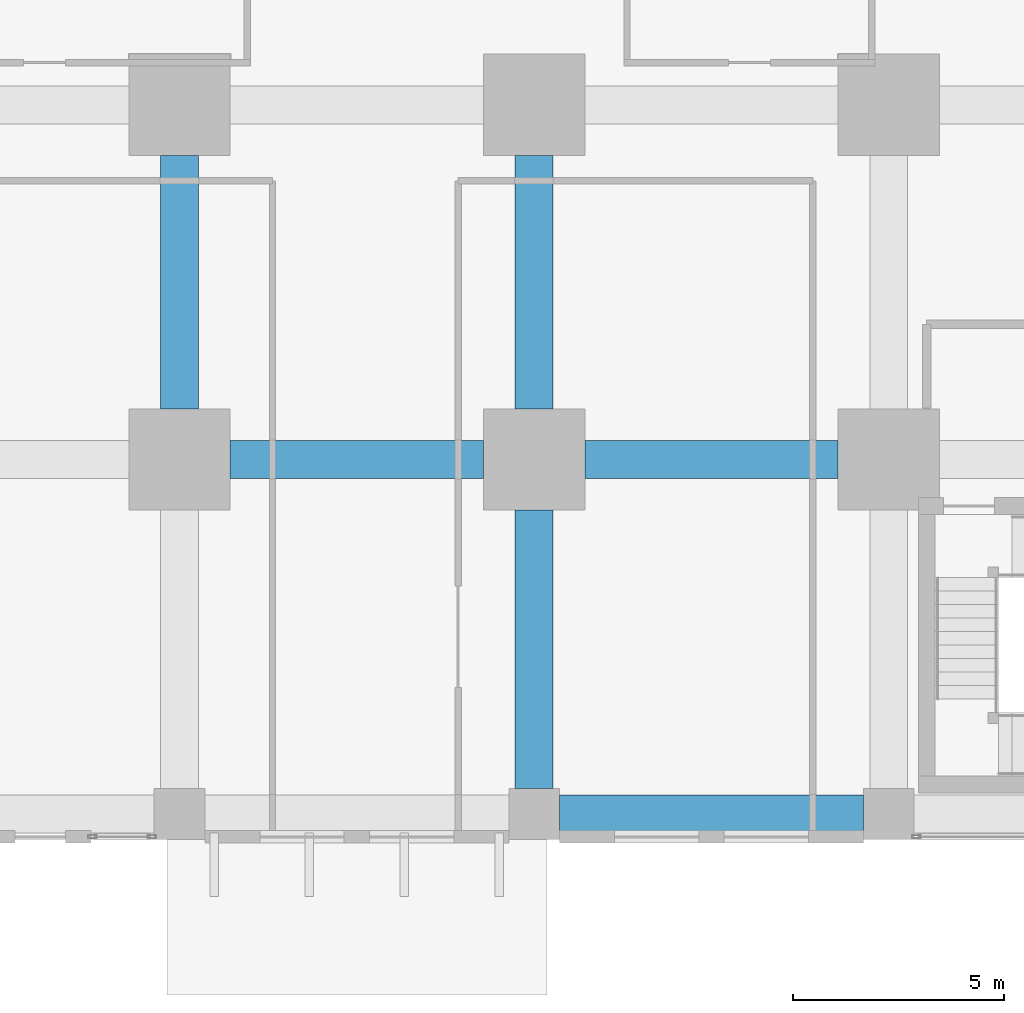
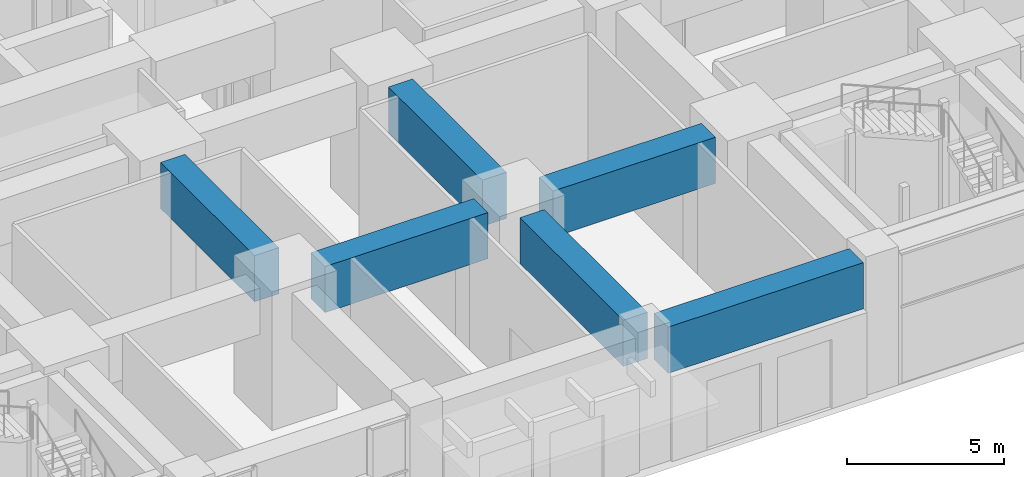
# One storey, part 14 of 81: 6 beams.
"""IFC4 building model written with IfcOpenShell, lengths in metres."""

from ifc_helpers import new_model, si_unit, direction, frame, origin, origin_2d, place, context, subcontext, project, spatial, rectangle, extrude, material, material_profile, profile_set, type_object, element, save


model = new_model("IFC4")

# Units and contexts
model_context = context("Model", 3, precision=1e-05, world=origin(), true_north=direction((0.0, 1.0)))
body_context = subcontext(model_context, "Body", "Model", "MODEL_VIEW")
ifc_project = project(units=[si_unit("LENGTHUNIT", "METRE"), si_unit("AREAUNIT", "SQUARE_METRE"), si_unit("VOLUMEUNIT", "CUBIC_METRE"), si_unit("PLANEANGLEUNIT", "RADIAN"), si_unit("MASSUNIT", "GRAM", prefix="KILO")], contexts=[model_context])

# Site, building, storey
site_placement = place(None, origin())
site = spatial("IfcSite", under=ifc_project, at=site_placement, CompositionType="ELEMENT")
building_placement = place(site_placement, origin())
building = spatial("IfcBuilding", under=site, at=building_placement, Name="Rekha Terrace Tower", CompositionType="ELEMENT")
storey_placement = place(building_placement, origin())
storey = spatial("IfcBuildingStorey", under=building, at=storey_placement, Name="L00", CompositionType="ELEMENT", Elevation=0.0)

# Beams
ifc_material = material(Name="Concrete M60", Category="concrete")
ifc_material_profile = material_profile(ifc_material, rectangle(XDim=0.89990234375, YDim=1.800048828125, at=origin_2d()), Name="RC 900x1800")
ifc_profile_set = profile_set([ifc_material_profile], Name="Concrete M60")
beam_type = type_object("IfcBeamType", Name="G1 900x1800 podium floor beam", PredefinedType="BEAM", material=ifc_profile_set)
for number, where, z_axis, x_axis, name in (
    (1, (34.800048828125, 8.39990234375, 4.199951171875), (1.0, 0.0, 0.0), (0.0, 1.0, 0.0), "Beam G1 5B-6B under L01"),
    (2, (33.60009765625, 9.60009765625, 4.199951171875), (0.0, 1.0, 0.0), (-1.0, 0.0, 0.0), "Beam G1 5B-5C under L01"),
):
    element("IfcBeam", number, at=place(storey_placement, frame(where, z_axis=z_axis, x_axis=x_axis)), inside=storey, type_object=beam_type, Name=name, PredefinedType="BEAM", context=body_context, shape_type="SweptSolid", body=[
        extrude(rectangle(XDim=0.89990234375, YDim=1.800048828125, at=origin_2d()), origin(), (0.0, 0.0, 1.0), 6.0),
    ])
beam_1_placement = place(storey_placement, frame((42.60009765625, 0.0, 4.199951171875), z_axis=(1.0, 0.0, 0.0), x_axis=(0.0, 1.0, 0.0)))
element("IfcBeam", 3, at=beam_1_placement, inside=storey, type_object=beam_type, Name="Beam G1 6A-7A under L01", PredefinedType="BEAM", context=body_context, shape_type="SweptSolid", body=[
    extrude(rectangle(XDim=0.89990234375, YDim=1.800048828125, at=origin_2d()), origin(), (0.0, 0.0, 1.0), 7.199951171875),
])
beam_2_placement = place(storey_placement, frame((42.0, 0.60009765625, 4.199951171875), z_axis=(0.0, 1.0, 0.0), x_axis=(-1.0, 0.0, 0.0)))
element("IfcBeam", 4, at=beam_2_placement, inside=storey, type_object=beam_type, Name="Beam G1 6A-6B under L01", PredefinedType="BEAM", context=body_context, shape_type="SweptSolid", body=[
    extrude(rectangle(XDim=0.89990234375, YDim=1.800048828125, at=origin_2d()), origin(), (0.0, 0.0, 1.0), 6.599853515625),
])
for number, where, z_axis, x_axis, name in (
    (5, (43.199951171875, 8.39990234375, 4.199951171875), (1.0, 0.0, 0.0), (0.0, 1.0, 0.0), "Beam G1 6B-7B under L01"),
    (6, (42.0, 9.60009765625, 4.199951171875), (0.0, 1.0, 0.0), (-1.0, 0.0, 0.0), "Beam G1 6B-6C under L01"),
):
    element("IfcBeam", number, at=place(storey_placement, frame(where, z_axis=z_axis, x_axis=x_axis)), inside=storey, type_object=beam_type, Name=name, PredefinedType="BEAM", context=body_context, shape_type="SweptSolid", body=[
        extrude(rectangle(XDim=0.89990234375, YDim=1.800048828125, at=origin_2d()), origin(), (0.0, 0.0, 1.0), 6.0),
    ])

save(model, "model.ifc")
